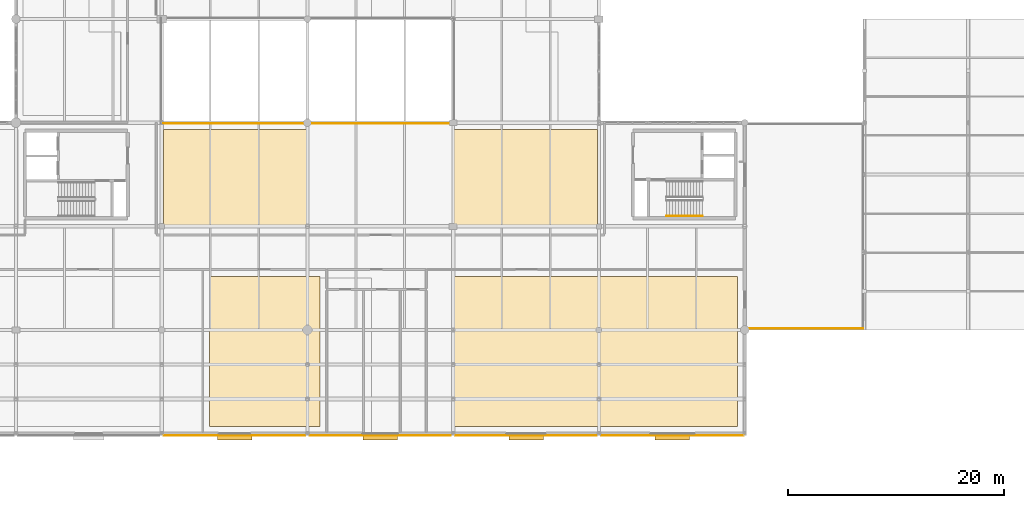
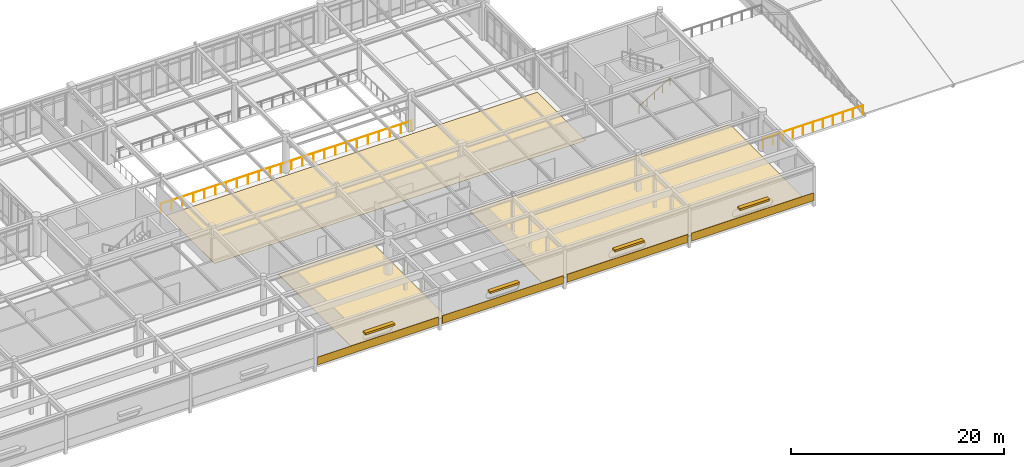
# One storey, part 58 of 61: 7 coverings, 4 shading devices, 3 railings.
"""IFC4 building model written with IfcOpenShell, lengths in metres."""

from ifc_helpers import new_model, si_unit, direction, frame, origin, origin_2d, place, context, subcontext, project, spatial, polyline, rectangle, circle, outline, extrude, material, layer, layer_set, type_object, element, save


model = new_model("IFC4")

# Units and contexts
model_context = context("Model", 3, precision=1e-05, world=origin(), true_north=direction((0.0, 1.0)))
body_context = subcontext(model_context, "Body", "Model", "MODEL_VIEW")
ifc_project = project(units=[si_unit("LENGTHUNIT", "METRE"), si_unit("AREAUNIT", "SQUARE_METRE"), si_unit("VOLUMEUNIT", "CUBIC_METRE"), si_unit("PLANEANGLEUNIT", "RADIAN"), si_unit("MASSUNIT", "GRAM", prefix="KILO")], contexts=[model_context])

# Site, building, storey
site_placement = place(None, origin())
site = spatial("IfcSite", under=ifc_project, at=site_placement, CompositionType="ELEMENT")
building_placement = place(site_placement, origin())
building = spatial("IfcBuilding", under=site, at=building_placement, Name="Fikremerkos Civic Library", CompositionType="ELEMENT")
storey_placement = place(building_placement, frame((0.0, 0.0, 14.39990234375)))
storey = spatial("IfcBuildingStorey", under=building, at=storey_placement, Name="L03", CompositionType="ELEMENT", Elevation=14.39990234375)

# Shading devices
ifc_material_1 = material(Name="Bronze anodized aluminium", Category="aluminium")
shading_device_type = type_object("IfcShadingDeviceType", Name="Horizontal sun-control louvre bank SHD-01", PredefinedType="JALOUSIE", material=ifc_material_1)
for number, where, z_axis, x_axis, name in (
    (1, (107.006103515625, 2.0400390625, 2.02001953125), (0.0, 0.0, 1.0), (1.0, 0.0, 0.0), "Sun-control louvre hood SHD-01 L03 #55"),
    (2, (93.449951171875, 2.0400390625, 2.02001953125), (0.0, 0.0, 1.0), (1.0, 0.0, 0.0), "Sun-control louvre hood SHD-01 L03 #56"),
    (3, (79.949951171875, 2.0400390625, 1.97021484375), (0.0, 0.0, 1.0), (1.0, 0.0, 0.0), "Sun-control louvre hood SHD-01 L03 #57"),
    (4, (66.449951171875, 2.0400390625, 1.97021484375), (0.0, 0.0, 1.0), (1.0, 0.0, 0.0), "Sun-control louvre hood SHD-01 L03 #58"),
):
    element("IfcShadingDevice", number, at=place(storey_placement, frame(where, z_axis=z_axis, x_axis=x_axis)), inside=storey, type_object=shading_device_type, Name=name, PredefinedType="JALOUSIE", context=body_context, shape_type="SweptSolid", body=[
        extrude(rectangle(XDim=3.199951171875, YDim=0.449951171875, at=origin_2d()), origin(), (0.0, 0.0, 1.0), 0.219970703125),
    ])

# Railing
ifc_material_2 = material(Name="Painted Steel S275", Category="steel")
railing_type_1 = type_object("IfcRailingType", Name="Interior balustrade guard RLG-INT 1100", PredefinedType="BALUSTRADE", material=ifc_material_2)
railing_1_placement = place(storey_placement, frame((59.6201171875, 31.1201171875, 0.0)))
element("IfcRailing", 5, at=railing_1_placement, inside=storey, type_object=railing_type_1, Name="Atrium void balustrade guard L03 S", PredefinedType="BALUSTRADE", context=body_context, shape_type="SweptSolid", body=[
    extrude(circle(Radius=0.02392578125, at=origin_2d()), frame((0.0, 0.0, 1.076171875), z_axis=(1.0, 0.0, 0.0), x_axis=(0.0, 1.0, 0.0)), (0.0, 0.0, 1.0), 27.159912109375),
    extrude(circle(Radius=0.02099609375, at=origin_2d()), origin(), (0.0, 0.0, 1.0), 1.052001953125),
    extrude(circle(Radius=0.02099609375, at=origin_2d()), frame((1.180908203125, 0.0, 0.0)), (0.0, 0.0, 1.0), 1.052001953125),
    extrude(circle(Radius=0.02099609375, at=origin_2d()), frame((2.36181640625, 0.0, 0.0)), (0.0, 0.0, 1.0), 1.052001953125),
    extrude(circle(Radius=0.02099609375, at=origin_2d()), frame((3.54248046875, 0.0, 0.0)), (0.0, 0.0, 1.0), 1.052001953125),
    extrude(circle(Radius=0.02099609375, at=origin_2d()), frame((4.723388671875, 0.0, 0.0)), (0.0, 0.0, 1.0), 1.052001953125),
    extrude(circle(Radius=0.02099609375, at=origin_2d()), frame((5.904296875, 0.0, 0.0)), (0.0, 0.0, 1.0), 1.052001953125),
    extrude(circle(Radius=0.02099609375, at=origin_2d()), frame((7.085205078125, 0.0, 0.0)), (0.0, 0.0, 1.0), 1.052001953125),
    extrude(circle(Radius=0.02099609375, at=origin_2d()), frame((8.26611328125, 0.0, 0.0)), (0.0, 0.0, 1.0), 1.052001953125),
    extrude(circle(Radius=0.02099609375, at=origin_2d()), frame((9.447021484375, 0.0, 0.0)), (0.0, 0.0, 1.0), 1.052001953125),
    extrude(circle(Radius=0.02099609375, at=origin_2d()), frame((10.627685546875, 0.0, 0.0)), (0.0, 0.0, 1.0), 1.052001953125),
    extrude(circle(Radius=0.02099609375, at=origin_2d()), frame((11.80859375, 0.0, 0.0)), (0.0, 0.0, 1.0), 1.052001953125),
    extrude(circle(Radius=0.02099609375, at=origin_2d()), frame((12.989501953125, 0.0, 0.0)), (0.0, 0.0, 1.0), 1.052001953125),
    extrude(circle(Radius=0.02099609375, at=origin_2d()), frame((14.17041015625, 0.0, 0.0)), (0.0, 0.0, 1.0), 1.052001953125),
    extrude(circle(Radius=0.02099609375, at=origin_2d()), frame((15.351318359375, 0.0, 0.0)), (0.0, 0.0, 1.0), 1.052001953125),
    extrude(circle(Radius=0.02099609375, at=origin_2d()), frame((16.5322265625, 0.0, 0.0)), (0.0, 0.0, 1.0), 1.052001953125),
    extrude(circle(Radius=0.02099609375, at=origin_2d()), frame((17.712890625, 0.0, 0.0)), (0.0, 0.0, 1.0), 1.052001953125),
    extrude(circle(Radius=0.02099609375, at=origin_2d()), frame((18.893798828125, 0.0, 0.0)), (0.0, 0.0, 1.0), 1.052001953125),
    extrude(circle(Radius=0.02099609375, at=origin_2d()), frame((20.07470703125, 0.0, 0.0)), (0.0, 0.0, 1.0), 1.052001953125),
    extrude(circle(Radius=0.02099609375, at=origin_2d()), frame((21.255615234375, 0.0, 0.0)), (0.0, 0.0, 1.0), 1.052001953125),
    extrude(circle(Radius=0.02099609375, at=origin_2d()), frame((22.4365234375, 0.0, 0.0)), (0.0, 0.0, 1.0), 1.052001953125),
    extrude(circle(Radius=0.02099609375, at=origin_2d()), frame((23.617431640625, 0.0, 0.0)), (0.0, 0.0, 1.0), 1.052001953125),
    extrude(circle(Radius=0.02099609375, at=origin_2d()), frame((24.798095703125, 0.0, 0.0)), (0.0, 0.0, 1.0), 1.052001953125),
    extrude(circle(Radius=0.02099609375, at=origin_2d()), frame((25.97900390625, 0.0, 0.0)), (0.0, 0.0, 1.0), 1.052001953125),
    extrude(circle(Radius=0.02099609375, at=origin_2d()), frame((27.159912109375, 0.0, 0.0)), (0.0, 0.0, 1.0), 1.052001953125),
])

# Coverings
ifc_material_3 = material(Name="Polished basalt terrazzo", Category="masonry")
ifc_layer_1 = layer(ifc_material_3, 0.030029296875, Name="Polished basalt terrazzo")
ifc_layer_set_1 = layer_set([ifc_layer_1], Name="Polished basalt terrazzo")
covering_type_1 = type_object("IfcCoveringType", Name="Polished basalt terrazzo flooring FLR-01", PredefinedType="FLOORING", material=ifc_layer_set_1)
covering_1_placement = place(storey_placement, origin())
element("IfcCovering", 6, at=covering_1_placement, inside=storey, type_object=covering_type_1, Name="Terrazzo floor finish South Panorama Reading Alcove", PredefinedType="FLOORING", context=body_context, shape_type="SweptSolid", body=[
    extrude(outline(polyline([(64.14990234375, 3.050048828125), (64.14990234375, 16.949951171875), (74.35009765625, 16.949951171875), (74.35009765625, 3.050048828125), (64.14990234375, 3.050048828125)])), origin(), (0.0, 0.0, 1.0), 0.030029296875),
])
covering_2_placement = place(storey_placement, origin())
element("IfcCovering", 7, at=covering_2_placement, inside=storey, type_object=covering_type_1, Name="Terrazzo floor finish Law and Economics Reading Room", PredefinedType="FLOORING", context=body_context, shape_type="SweptSolid", body=[
    extrude(outline(polyline([(84.85009765625, 3.050048828125), (84.85009765625, 16.949951171875), (113.050048828125, 16.949951171875), (113.050048828125, 3.050048828125), (84.85009765625, 3.050048828125)])), origin(), (0.0, 0.0, 1.0), 0.030029296875),
])
covering_3_placement = place(storey_placement, origin())
element("IfcCovering", 8, at=covering_3_placement, inside=storey, type_object=covering_type_1, Name="Terrazzo floor finish Open Book Stacks Social Sciences", PredefinedType="FLOORING", context=body_context, shape_type="SweptSolid", body=[
    extrude(outline(polyline([(59.85009765625, 21.449951171875), (59.85009765625, 30.550048828125), (100.050048828125, 30.550048828125), (100.050048828125, 21.449951171875), (59.85009765625, 21.449951171875)])), origin(), (0.0, 0.0, 1.0), 0.030029296875),
])
ifc_material_4 = material(Name="Precast concrete C40/50", Category="concrete")
ifc_layer_2 = layer(ifc_material_4, 0.044921875, Name="Precast concrete C40/50")
ifc_layer_set_2 = layer_set([ifc_layer_2], Name="Precast concrete C40/50")
covering_type_2 = type_object("IfcCoveringType", Name="Precast basalt facade cladding CLD-01", PredefinedType="CLADDING", material=ifc_layer_set_2)
covering_4_placement = place(storey_placement, frame((107.006103515625, 2.238037109375, 0.050048828125), z_axis=(0.0, 0.0, 1.0), x_axis=(1.0, 0.0, 0.0)))
element("IfcCovering", 9, at=covering_4_placement, inside=storey, type_object=covering_type_2, Name="Basalt spandrel cladding CLD-01 L03 #15", PredefinedType="CLADDING", context=body_context, shape_type="SweptSolid", body=[
    extrude(rectangle(XDim=13.2080078125, YDim=0.044921875, at=origin_2d()), origin(), (0.0, 0.0, 1.0), 0.89990234375),
])
for number, where, z_axis, x_axis, name in (
    (10, (93.449951171875, 2.238037109375, 0.050048828125), (0.0, 0.0, 1.0), (1.0, 0.0, 0.0), "Basalt spandrel cladding CLD-01 L03 #16"),
    (11, (79.949951171875, 2.238037109375, 0.050048828125), (0.0, 0.0, 1.0), (1.0, 0.0, 0.0), "Basalt spandrel cladding CLD-01 L03 #17"),
    (12, (66.449951171875, 2.238037109375, 0.050048828125), (0.0, 0.0, 1.0), (1.0, 0.0, 0.0), "Basalt spandrel cladding CLD-01 L03 #18"),
):
    element("IfcCovering", number, at=place(storey_placement, frame(where, z_axis=z_axis, x_axis=x_axis)), inside=storey, type_object=covering_type_2, Name=name, PredefinedType="CLADDING", context=body_context, shape_type="SweptSolid", body=[
        extrude(rectangle(XDim=13.095947265625, YDim=0.044921875, at=origin_2d()), origin(), (0.0, 0.0, 1.0), 0.89990234375),
    ])

# Railings
railing_type_2 = type_object("IfcRailingType", Name="Terrace balustrade guard RLG-EXT 1100", PredefinedType="BALUSTRADE", material=ifc_material_2)
railing_2_placement = place(storey_placement, frame((113.820068359375, 12.1201171875, 0.0)))
element("IfcRailing", 13, at=railing_2_placement, inside=storey, type_object=railing_type_2, Name="Terrace balustrade guard L03-TERR-01 south", PredefinedType="BALUSTRADE", context=body_context, shape_type="SweptSolid", body=[
    extrude(circle(Radius=0.02392578125, at=origin_2d()), frame((0.0, 0.0, 1.076171875), z_axis=(1.0, 0.0, 0.0), x_axis=(0.0, 1.0, 0.0)), (0.0, 0.0, 1.0), 10.85986328125),
    extrude(circle(Radius=0.02099609375, at=origin_2d()), origin(), (0.0, 0.0, 1.0), 1.052001953125),
    extrude(circle(Radius=0.02099609375, at=origin_2d()), frame((1.0859375, 0.0, 0.0)), (0.0, 0.0, 1.0), 1.052001953125),
    extrude(circle(Radius=0.02099609375, at=origin_2d()), frame((2.171875, 0.0, 0.0)), (0.0, 0.0, 1.0), 1.052001953125),
    extrude(circle(Radius=0.02099609375, at=origin_2d()), frame((3.258056640625, 0.0, 0.0)), (0.0, 0.0, 1.0), 1.052001953125),
    extrude(circle(Radius=0.02099609375, at=origin_2d()), frame((4.343994140625, 0.0, 0.0)), (0.0, 0.0, 1.0), 1.052001953125),
    extrude(circle(Radius=0.02099609375, at=origin_2d()), frame((5.429931640625, 0.0, 0.0)), (0.0, 0.0, 1.0), 1.052001953125),
    extrude(circle(Radius=0.02099609375, at=origin_2d()), frame((6.515869140625, 0.0, 0.0)), (0.0, 0.0, 1.0), 1.052001953125),
    extrude(circle(Radius=0.02099609375, at=origin_2d()), frame((7.601806640625, 0.0, 0.0)), (0.0, 0.0, 1.0), 1.052001953125),
    extrude(circle(Radius=0.02099609375, at=origin_2d()), frame((8.68798828125, 0.0, 0.0)), (0.0, 0.0, 1.0), 1.052001953125),
    extrude(circle(Radius=0.02099609375, at=origin_2d()), frame((9.77392578125, 0.0, 0.0)), (0.0, 0.0, 1.0), 1.052001953125),
    extrude(circle(Radius=0.02099609375, at=origin_2d()), frame((10.85986328125, 0.0, 0.0)), (0.0, 0.0, 1.0), 1.052001953125),
])
ifc_material_5 = material(Name="Brushed stainless steel", Category="steel")
railing_type_3 = type_object("IfcRailingType", Name="Wall and flight handrail HRL-01 900", PredefinedType="HANDRAIL", material=ifc_material_5)
railing_3_placement = place(storey_placement, frame((106.449951171875, 22.550048828125, 0.173095703125)))
element("IfcRailing", 14, at=railing_3_placement, inside=storey, type_object=railing_type_3, Name="L03 ST-K2 stair handrail 1", PredefinedType="HANDRAIL", context=body_context, shape_type="SweptSolid", body=[
    extrude(circle(Radius=0.02392578125, at=origin_2d()), frame((0.0, 0.0, 0.8759765625), z_axis=(0.850623216509, 0.0, 0.525775754039), x_axis=(0.0, 1.0, 0.0)), (0.0, 0.0, 1.0), 3.9501953125),
    extrude(circle(Radius=0.02099609375, at=origin_2d()), origin(), (0.0, 0.0, 1.0), 0.851806640625),
    extrude(circle(Radius=0.02099609375, at=origin_2d()), frame((0.840087890625, 0.0, 0.519287109375)), (0.0, 0.0, 1.0), 0.851806640625),
    extrude(circle(Radius=0.02099609375, at=origin_2d()), frame((1.68017578125, 0.0, 1.03857421875)), (0.0, 0.0, 1.0), 0.851806640625),
    extrude(circle(Radius=0.02099609375, at=origin_2d()), frame((2.52001953125, 0.0, 1.5576171875)), (0.0, 0.0, 1.0), 0.851806640625),
    extrude(circle(Radius=0.02099609375, at=origin_2d()), frame((3.360107421875, 0.0, 2.076904296875)), (0.0, 0.0, 1.0), 0.851806640625),
])

save(model, "model.ifc")
